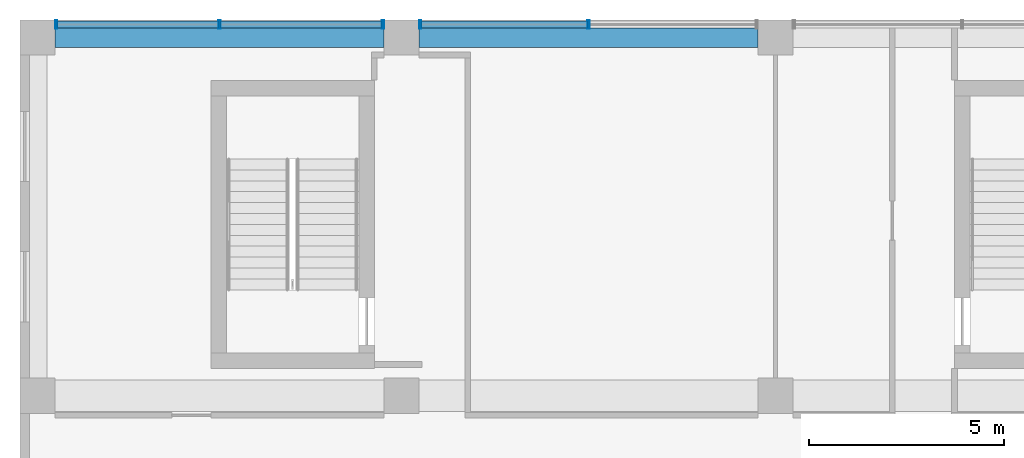
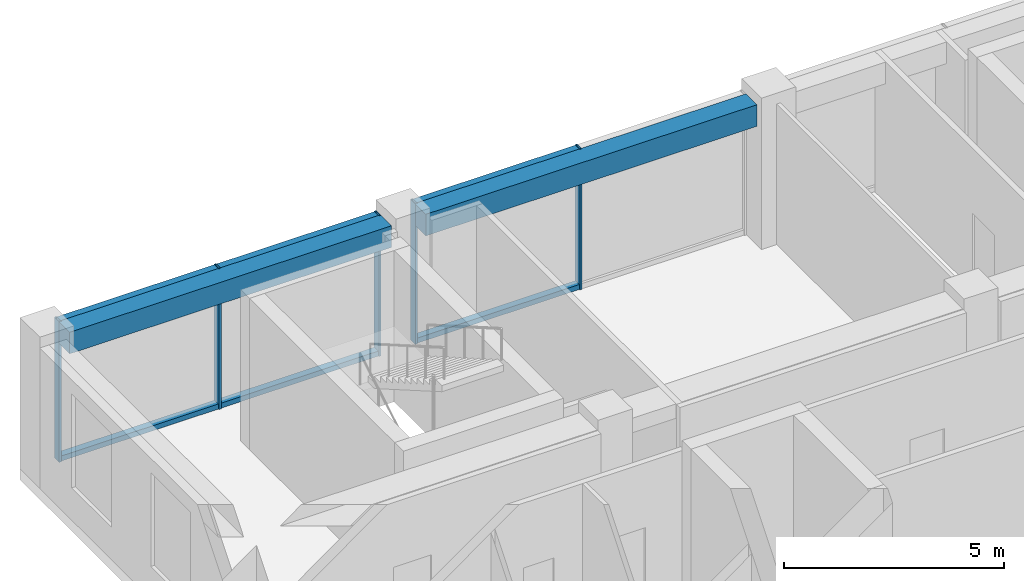
# One storey, part 22 of 38: 11 members, 2 beams, 2 elements without a shape of their own.
"""IFC4 building model written with IfcOpenShell, lengths in metres."""

import ifcopenshell
import ifcopenshell.guid

model = None  # the IFC model being written
_history = None  # IfcOwnerHistory: only IFC2X3 demands one
_inside = {}  # id of a spatial element -> (the spatial element, [elements in it])
_under = {}  # id of a project, library or spatial element -> (it, [spatial elements below it])
_declared = {}  # id of a project -> (the project, [libraries it declares])
_typed = {}  # id of a type object -> (the type object, [elements of that type])
_made_of = {}  # id of a material, layer set ... -> (it, [elements and type objects made of it])


def new_model(schema):
    """Start an empty IFC model of exactly this schema.

    Asked for "IFC4X3", IfcOpenShell would pick the latest addendum, in which some entities
    have other attributes; the version numbers below select the first issue.
    IFC2X3 requires an IfcOwnerHistory on every rooted entity: one is made here for all.
    """
    global model, _history
    if schema == "IFC4X3":
        model = ifcopenshell.file(schema_version=(4, 3, 0, 0))
    else:
        model = ifcopenshell.file(schema=schema)
    _inside.clear()
    _under.clear()
    _declared.clear()
    _typed.clear()
    _made_of.clear()
    _history = None
    if model.schema == "IFC2X3":
        org = make("IfcOrganization", Name="unknown")
        user = make(
            "IfcPersonAndOrganization",
            ThePerson=make("IfcPerson", FamilyName="unknown"),
            TheOrganization=org,
        )
        app = make(
            "IfcApplication",
            ApplicationDeveloper=org,
            Version="unknown",
            ApplicationFullName="unknown",
            ApplicationIdentifier="unknown",
        )
        _history = make(
            "IfcOwnerHistory",
            OwningUser=user,
            OwningApplication=app,
            ChangeAction="ADDED",
            CreationDate=0,
        )
    return model


def make(cls, **values):
    """One entity of the class cls with the attributes given. An attribute that is None is left unset."""
    return model.create_entity(
        cls, **{name: value for name, value in values.items() if value is not None}
    )


def rooted(cls, **values):
    """An entity with a GlobalId (a new one), such as an element, a storey or a relation."""
    return make(cls, GlobalId=ifcopenshell.guid.new(), OwnerHistory=_history, **values)


def si_unit(unit_type, name, prefix=None):
    """IfcSIUnit, for example si_unit("LENGTHUNIT", "METRE", prefix="MILLI")."""
    return make("IfcSIUnit", UnitType=unit_type, Prefix=prefix, Name=name)


def assignment(units):
    """IfcUnitAssignment: the units of a project."""
    return None if units is None else make("IfcUnitAssignment", Units=units)


def point(xyz):
    """IfcCartesianPoint."""
    return None if xyz is None else make("IfcCartesianPoint", Coordinates=xyz)


def direction(xyz):
    """IfcDirection."""
    return None if xyz is None else make("IfcDirection", DirectionRatios=xyz)


def frame(location, z_axis=None, x_axis=None):
    """IfcAxis2Placement3D, a coordinate frame: its origin and axes. An axis left out is left unset."""
    return make(
        "IfcAxis2Placement3D",
        Location=point(location),
        Axis=direction(z_axis),
        RefDirection=direction(x_axis),
    )


def frame_2d(location, x_axis=None):
    """IfcAxis2Placement2D, a coordinate frame in the plane: its origin and x axis."""
    return make(
        "IfcAxis2Placement2D", Location=point(location), RefDirection=direction(x_axis)
    )


def origin():
    """The frame at (0, 0, 0) with its axes left unset."""
    return frame((0.0, 0.0, 0.0))


def origin_2d():
    """The frame at (0, 0) in the plane with its x axis left unset."""
    return frame_2d((0.0, 0.0))


def place(relative_to, where):
    """IfcLocalPlacement: puts the frame where relative to a parent placement (None: the world)."""
    return make(
        "IfcLocalPlacement", PlacementRelTo=relative_to, RelativePlacement=where
    )


def context(
    kind, dimensions, precision=None, world=None, true_north=None, identifier=None
):
    """IfcGeometricRepresentationContext, for example the 3D "Model" context."""
    return make(
        "IfcGeometricRepresentationContext",
        ContextIdentifier=identifier,
        ContextType=kind,
        CoordinateSpaceDimension=dimensions,
        Precision=precision,
        WorldCoordinateSystem=world,
        TrueNorth=true_north,
    )


def subcontext(parent, identifier, kind, view, scale=None):
    """IfcGeometricRepresentationSubContext, for example "Body" below "Model"."""
    return make(
        "IfcGeometricRepresentationSubContext",
        ContextIdentifier=identifier,
        ContextType=kind,
        ParentContext=parent,
        TargetScale=scale,
        TargetView=view,
    )


def project(units=None, contexts=None):
    """IfcProject with its units and contexts."""
    return rooted(
        "IfcProject",
        Name="project",
        RepresentationContexts=contexts,
        UnitsInContext=assignment(units),
    )


def spatial(cls, under=None, at=None, **own):
    """A site, building, storey or space (cls), placed at a placement, below another one or the project."""
    s = rooted(cls, ObjectPlacement=at, **own)
    if under is not None:
        _under.setdefault(under.id(), (under, []))[1].append(s)
    return s


def profile(cls, at=None, kind="AREA", **sizes):
    """A parametric profile (cls). Its sizes go by their IFC names, for example OverallWidth=200.0."""
    return make(cls, ProfileType=kind, Position=at, **sizes)


def rectangle(**sizes):
    """IfcRectangleProfileDef."""
    return profile("IfcRectangleProfileDef", **sizes)


def hollow_rectangle(**sizes):
    """IfcRectangleHollowProfileDef."""
    return profile("IfcRectangleHollowProfileDef", **sizes)


def extrude(swept, where, along, depth):
    """IfcExtrudedAreaSolid: the profile swept, set in the frame where, extruded along a direction by depth."""
    return make(
        "IfcExtrudedAreaSolid",
        SweptArea=swept,
        Position=where,
        ExtrudedDirection=direction(along),
        Depth=depth,
    )


def shape(context_of_items, identifier, shape_type, items):
    """IfcShapeRepresentation: the items that make up one representation, for example the "Body"."""
    return make(
        "IfcShapeRepresentation",
        ContextOfItems=context_of_items,
        RepresentationIdentifier=identifier,
        RepresentationType=shape_type,
        Items=items,
    )


def material(Name=None, Category=None):
    """IfcMaterial."""
    return make("IfcMaterial", Name=Name, Category=Category)


def layer(
    of_material, thickness, ventilated=None, Name=None, Category=None, Priority=None
):
    """IfcMaterialLayer: one layer of a wall or slab, of a material (None: an air gap)."""
    return make(
        "IfcMaterialLayer",
        Material=of_material,
        LayerThickness=thickness,
        IsVentilated=ventilated,
        Name=Name,
        Category=Category,
        Priority=Priority,
    )


def layer_set(layers, Name=None):
    """IfcMaterialLayerSet."""
    return make("IfcMaterialLayerSet", MaterialLayers=layers, LayerSetName=Name)


def material_profile(
    of_material, cross_section, Name=None, Category=None, Priority=None
):
    """IfcMaterialProfile: a cross section and its material."""
    return make(
        "IfcMaterialProfile",
        Name=Name,
        Material=of_material,
        Profile=cross_section,
        Priority=Priority,
        Category=Category,
    )


def profile_set(profiles, Name=None, composite=None):
    """IfcMaterialProfileSet."""
    return make(
        "IfcMaterialProfileSet",
        Name=Name,
        MaterialProfiles=profiles,
        CompositeProfile=composite,
    )


def made_of(thing, what):
    """Note that an element or type object is made of a material, layer set ...; save() writes the relation."""
    if what is not None:
        _made_of.setdefault(what.id(), (what, []))[1].append(thing)
    return thing


def type_object(cls, material=None, **own):
    """A type object (cls), such as IfcWallType, which elements share."""
    return made_of(rooted(cls, **own), material)


def element(
    cls,
    number,
    at=None,
    inside=None,
    cuts=None,
    type_object=None,
    material=None,
    context=None,
    identifier="Body",
    shape_type=None,
    held_by="IfcProductDefinitionShape",
    body=None,
    shapes=None,
    **own,
):
    """One element of the class cls, such as IfcWall. Its Tag is "e" and its number.

    at: its placement. inside: the storey or other place that contains it. cuts: it is an
    opening in that element (IfcRelVoidsElement). A single representation is given by context,
    identifier, shape_type and body (its items); several are given by shapes. held_by: the class
    of the entity that holds the representations. save() writes the other relations.
    """
    e = rooted(cls, Tag="e%d" % number, ObjectPlacement=at, **own)
    if body is not None:
        shapes = [shape(context, identifier, shape_type, body)]
    if shapes is not None:
        e.Representation = make(held_by, Representations=shapes)
    if inside is not None:
        _inside.setdefault(inside.id(), (inside, []))[1].append(e)
    if cuts is not None:
        rooted(
            "IfcRelVoidsElement", RelatingBuildingElement=cuts, RelatedOpeningElement=e
        )
    if type_object is not None:
        _typed.setdefault(type_object.id(), (type_object, []))[1].append(e)
    return made_of(e, material)


def aggregate(whole, parts):
    """IfcRelAggregates: a whole, such as a stair, and the parts it consists of."""
    return rooted("IfcRelAggregates", RelatingObject=whole, RelatedObjects=parts)


def save(model, path):
    """Write the relations noted so far, then the file.

    IfcRelAggregates (storeys below a building ...), IfcRelContainedInSpatialStructure (elements
    in a storey), IfcRelDefinesByType, IfcRelAssociatesMaterial and IfcRelDeclares: one each for
    every whole, place, type object, material and project.
    """
    for whole, parts in _under.values():
        aggregate(whole, parts)
    for where, things in _inside.values():
        rooted(
            "IfcRelContainedInSpatialStructure",
            RelatedElements=things,
            RelatingStructure=where,
        )
    for kind, things in _typed.values():
        rooted("IfcRelDefinesByType", RelatedObjects=things, RelatingType=kind)
    for what, things in _made_of.values():
        rooted("IfcRelAssociatesMaterial", RelatedObjects=things, RelatingMaterial=what)
    for by, libraries in _declared.values():
        rooted("IfcRelDeclares", RelatingContext=by, RelatedDefinitions=libraries)
    model.write(path)


model = new_model("IFC4")

# Units and contexts
model_context = context("Model", 3, precision=1e-05, world=origin(), true_north=direction((0.0, 1.0)))
body_context = subcontext(model_context, "Body", "Model", "MODEL_VIEW")
ifc_project = project(units=[si_unit("LENGTHUNIT", "METRE"), si_unit("AREAUNIT", "SQUARE_METRE"), si_unit("VOLUMEUNIT", "CUBIC_METRE"), si_unit("PLANEANGLEUNIT", "RADIAN"), si_unit("MASSUNIT", "GRAM", prefix="KILO")], contexts=[model_context])

# Site, building, storey
site_placement = place(None, origin())
site = spatial("IfcSite", under=ifc_project, at=site_placement, CompositionType="ELEMENT")
building_placement = place(site_placement, origin())
building = spatial("IfcBuilding", under=site, at=building_placement, Name="Nzadi Deep Aquarium and Research Tower", CompositionType="ELEMENT")
storey_placement = place(building_placement, frame((0.0, 0.0, 48.699951171875)))
storey = spatial("IfcBuildingStorey", under=building, at=storey_placement, Name="L09", CompositionType="ELEMENT", Elevation=48.699951171875)

# Curtain wall, members
ifc_material_1 = material(Name="Aluminium unitised frame deep", Category="aluminium")
ifc_layer = layer(ifc_material_1, 0.22509765625)
ifc_layer_set = layer_set([ifc_layer], Name="Aluminium unitised frame deep")
curtain_wall_type = type_object("IfcCurtainWallType", Name="Curtain wall Unitised Deep 225", PredefinedType="NOTDEFINED", material=ifc_layer_set)
curtain_wall_1_placement = place(storey_placement, origin())
curtain_wall_1 = element("IfcCurtainWall", 1, at=curtain_wall_1_placement, inside=storey, type_object=curtain_wall_type, Name="Unitised curtain wall blade B north L09", PredefinedType="NOTDEFINED")
ifc_material_2 = material(Name="Aluminium unitised frame deep", Category="aluminium")
ifc_material_profile_1 = material_profile(ifc_material_2, hollow_rectangle(XDim=0.22509765625, YDim=0.06005859375, WallThickness=0.0048828125, at=origin_2d()))
ifc_profile_set_1 = profile_set([ifc_material_profile_1], Name="Aluminium unitised frame deep")
member_type_1 = type_object("IfcMemberType", Name="Mullion 60x225 Unitised Deep", PredefinedType="MULLION", material=ifc_profile_set_1)
member_1_placement = place(storey_placement, frame((0.72998046875, 46.33740234375, 0.0), z_axis=(0.0, 0.0, 1.0), x_axis=(0.0, 1.0, 0.0)))
member_1 = element("IfcMember", 2, at=member_1_placement, type_object=member_type_1, Name="CW123 mullion 1", PredefinedType="MULLION", context=body_context, shape_type="SweptSolid", body=[
    extrude(hollow_rectangle(XDim=0.22509765625, YDim=0.06005859375, WallThickness=0.0048828125, at=origin_2d()), origin(), (0.0, 0.0, 1.0), 3.900146484375),
])
member_2_placement = place(storey_placement, frame((4.925048828125, 46.33740234375, 0.0), z_axis=(0.0, 0.0, 1.0), x_axis=(0.0, 1.0, 0.0)))
member_2 = element("IfcMember", 3, at=member_2_placement, type_object=member_type_1, Name="CW123 mullion 2", PredefinedType="MULLION", context=body_context, shape_type="SweptSolid", body=[
    extrude(hollow_rectangle(XDim=0.22509765625, YDim=0.06005859375, WallThickness=0.0048828125, at=origin_2d()), origin(), (0.0, 0.0, 1.0), 3.900146484375),
])
member_3_placement = place(storey_placement, frame((9.1201171875, 46.33740234375, 0.0), z_axis=(0.0, 0.0, 1.0), x_axis=(0.0, 1.0, 0.0)))
member_3 = element("IfcMember", 4, at=member_3_placement, type_object=member_type_1, Name="CW123 mullion 3", PredefinedType="MULLION", context=body_context, shape_type="SweptSolid", body=[
    extrude(hollow_rectangle(XDim=0.22509765625, YDim=0.06005859375, WallThickness=0.0048828125, at=origin_2d()), origin(), (0.0, 0.0, 1.0), 3.900146484375),
])

curtain_wall_2_placement = place(storey_placement, origin())
curtain_wall_2 = element("IfcCurtainWall", 5, at=curtain_wall_2_placement, inside=storey, type_object=curtain_wall_type, Name="Unitised curtain wall blade B north L09", PredefinedType="NOTDEFINED")
member_4_placement = place(storey_placement, frame((10.080078125, 46.33740234375, 0.0), z_axis=(0.0, 0.0, 1.0), x_axis=(0.0, 1.0, 0.0)))
member_4 = element("IfcMember", 6, at=member_4_placement, type_object=member_type_1, Name="CW124 mullion 1", PredefinedType="MULLION", context=body_context, shape_type="SweptSolid", body=[
    extrude(hollow_rectangle(XDim=0.22509765625, YDim=0.06005859375, WallThickness=0.0048828125, at=origin_2d()), origin(), (0.0, 0.0, 1.0), 3.900146484375),
])
member_5_placement = place(storey_placement, frame((14.39990234375, 46.33740234375, 0.0), z_axis=(0.0, 0.0, 1.0), x_axis=(0.0, 1.0, 0.0)))
member_5 = element("IfcMember", 7, at=member_5_placement, type_object=member_type_1, Name="CW124 mullion 2", PredefinedType="MULLION", context=body_context, shape_type="SweptSolid", body=[
    extrude(hollow_rectangle(XDim=0.22509765625, YDim=0.06005859375, WallThickness=0.0048828125, at=origin_2d()), origin(), (0.0, 0.0, 1.0), 3.900146484375),
])

# Beams
ifc_material_3 = material(Name="Concrete C35/45", Category="concrete")
ifc_material_profile_2 = material_profile(ifc_material_3, rectangle(XDim=0.5, YDim=0.60009765625, at=origin_2d()))
ifc_profile_set_2 = profile_set([ifc_material_profile_2], Name="Concrete C35/45")
beam_type = type_object("IfcBeamType", Name="RC 500x600", PredefinedType="BEAM", material=ifc_profile_set_2)
beam_1_placement = place(storey_placement, frame((0.699951171875, 46.0, 3.60009765625), z_axis=(1.0, 0.0, 0.0), x_axis=(0.0, 1.0, 0.0)))
element("IfcBeam", 8, at=beam_1_placement, inside=storey, type_object=beam_type, Name="B-Z1-L09-L6-1", PredefinedType="BEAM", context=body_context, shape_type="SweptSolid", body=[
    extrude(rectangle(XDim=0.5, YDim=0.60009765625, at=origin_2d()), origin(), (0.0, 0.0, 1.0), 8.449951171875),
])
beam_2_placement = place(storey_placement, frame((10.050048828125, 46.0, 3.60009765625), z_axis=(1.0, 0.0, 0.0), x_axis=(0.0, 1.0, 0.0)))
element("IfcBeam", 9, at=beam_2_placement, inside=storey, type_object=beam_type, Name="B-Z1-L09-L6-2", PredefinedType="BEAM", context=body_context, shape_type="SweptSolid", body=[
    extrude(rectangle(XDim=0.5, YDim=0.60009765625, at=origin_2d()), origin(), (0.0, 0.0, 1.0), 8.699951171875),
])

# Member
ifc_material_4 = material(Name="Aluminium unitised frame deep", Category="aluminium")
ifc_material_profile_3 = material_profile(ifc_material_4, hollow_rectangle(XDim=0.179931640625, YDim=0.139892578125, WallThickness=0.0048828125, at=origin_2d()))
ifc_profile_set_3 = profile_set([ifc_material_profile_3], Name="Aluminium unitised frame deep")
member_type_2 = type_object("IfcMemberType", Name="Transom 140x180 Unitised Deep", PredefinedType="MULLION", material=ifc_profile_set_3)
member_6_placement = place(storey_placement, frame((0.760009765625, 46.33740234375, 0.070068359375), z_axis=(1.0, 0.0, 0.0), x_axis=(0.0, 1.0, 0.0)))
member_6 = element("IfcMember", 10, at=member_6_placement, type_object=member_type_2, Name="CW123 transom 1.1", PredefinedType="MULLION", context=body_context, shape_type="SweptSolid", body=[
    extrude(hollow_rectangle(XDim=0.179931640625, YDim=0.139892578125, WallThickness=0.0048828125, at=origin_2d()), origin(), (0.0, 0.0, 1.0), 4.135009765625),
])

member_7_placement = place(storey_placement, frame((0.760009765625, 46.33740234375, 3.830078125), z_axis=(1.0, 0.0, 0.0), x_axis=(0.0, 1.0, 0.0)))
member_7 = element("IfcMember", 11, at=member_7_placement, type_object=member_type_2, Name="CW123 transom 1.2", PredefinedType="MULLION", context=body_context, shape_type="SweptSolid", body=[
    extrude(hollow_rectangle(XDim=0.179931640625, YDim=0.139892578125, WallThickness=0.0048828125, at=origin_2d()), origin(), (0.0, 0.0, 1.0), 4.135009765625),
])

member_8_placement = place(storey_placement, frame((4.955078125, 46.33740234375, 0.070068359375), z_axis=(1.0, 0.0, 0.0), x_axis=(0.0, 1.0, 0.0)))
member_8 = element("IfcMember", 12, at=member_8_placement, type_object=member_type_2, Name="CW123 transom 2.1", PredefinedType="MULLION", context=body_context, shape_type="SweptSolid", body=[
    extrude(hollow_rectangle(XDim=0.179931640625, YDim=0.139892578125, WallThickness=0.0048828125, at=origin_2d()), origin(), (0.0, 0.0, 1.0), 4.135009765625),
])

member_9_placement = place(storey_placement, frame((4.955078125, 46.33740234375, 3.830078125), z_axis=(1.0, 0.0, 0.0), x_axis=(0.0, 1.0, 0.0)))
member_9 = element("IfcMember", 13, at=member_9_placement, type_object=member_type_2, Name="CW123 transom 2.2", PredefinedType="MULLION", context=body_context, shape_type="SweptSolid", body=[
    extrude(hollow_rectangle(XDim=0.179931640625, YDim=0.139892578125, WallThickness=0.0048828125, at=origin_2d()), origin(), (0.0, 0.0, 1.0), 4.135009765625),
])

aggregate(curtain_wall_1, [member_1, member_2, member_3, member_6, member_7, member_8, member_9])

member_10_placement = place(storey_placement, frame((10.110107421875, 46.33740234375, 0.070068359375), z_axis=(1.0, 0.0, 0.0), x_axis=(0.0, 1.0, 0.0)))
member_10 = element("IfcMember", 14, at=member_10_placement, type_object=member_type_2, Name="CW124 transom 1.1", PredefinedType="MULLION", context=body_context, shape_type="SweptSolid", body=[
    extrude(hollow_rectangle(XDim=0.179931640625, YDim=0.139892578125, WallThickness=0.0048828125, at=origin_2d()), origin(), (0.0, 0.0, 1.0), 4.260009765625),
])

member_11_placement = place(storey_placement, frame((10.110107421875, 46.33740234375, 3.830078125), z_axis=(1.0, 0.0, 0.0), x_axis=(0.0, 1.0, 0.0)))
member_11 = element("IfcMember", 15, at=member_11_placement, type_object=member_type_2, Name="CW124 transom 1.2", PredefinedType="MULLION", context=body_context, shape_type="SweptSolid", body=[
    extrude(hollow_rectangle(XDim=0.179931640625, YDim=0.139892578125, WallThickness=0.0048828125, at=origin_2d()), origin(), (0.0, 0.0, 1.0), 4.260009765625),
])

aggregate(curtain_wall_2, [member_4, member_5, member_10, member_11])

save(model, "model.ifc")
